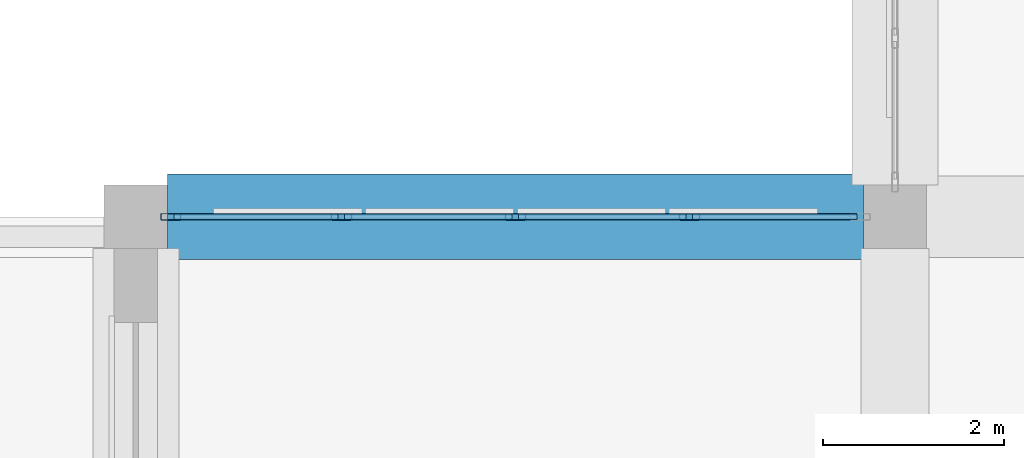
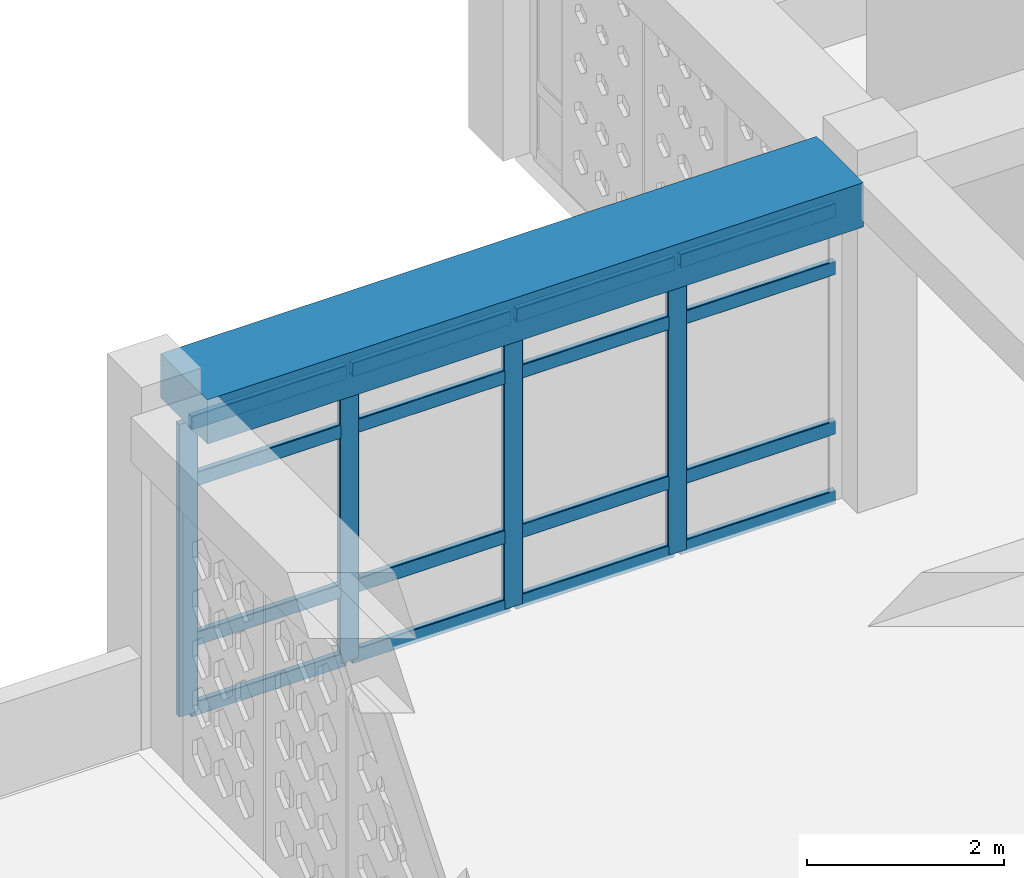
# One storey, part 24 of 100: 20 members, 1 beam, 1 element without a shape of its own.
"""IFC4 building model written with IfcOpenShell, lengths in metres."""

from ifc_helpers import new_model, si_unit, derived_unit, direction, frame, origin, origin_2d, place, context, subcontext, project, spatial, rectangle, hollow_rectangle, extrude, material, material_profile, profile_set, type_object, element, aggregate, save


model = new_model("IFC4")

# Units and contexts
model_context = context("Model", 3, precision=1e-05, world=origin(), true_north=direction((0.0, 1.0)))
body_context = subcontext(model_context, "Body", "Model", "MODEL_VIEW")
ifc_project = project(units=[si_unit("LENGTHUNIT", "METRE"), si_unit("AREAUNIT", "SQUARE_METRE"), si_unit("VOLUMEUNIT", "CUBIC_METRE"), si_unit("PLANEANGLEUNIT", "RADIAN"), si_unit("MASSUNIT", "GRAM", prefix="KILO"), derived_unit("THERMALTRANSMITTANCEUNIT", [(si_unit("POWERUNIT", "WATT"), 1), (si_unit("LENGTHUNIT", "METRE"), -2), (si_unit("THERMODYNAMICTEMPERATUREUNIT", "KELVIN"), -1)])], contexts=[model_context])

# Site, building, storey
site_placement = place(None, origin())
site = spatial("IfcSite", under=ifc_project, at=site_placement, CompositionType="ELEMENT")
building_placement = place(site_placement, origin())
building = spatial("IfcBuilding", under=site, at=building_placement, Name="Veybourne Emporium", CompositionType="ELEMENT")
storey_placement = place(building_placement, frame((0.0, 0.0, 14.39990234375)))
storey = spatial("IfcBuildingStorey", under=building, at=storey_placement, Name="L03", CompositionType="ELEMENT", Elevation=14.39990234375)

# Curtain wall, members
ifc_material_1 = material(Name="Patinated Architectural Bronze", Category="bronze")
curtain_wall_type = type_object("IfcCurtainWallType", Name="CWSystem_CWS-09", PredefinedType="NOTDEFINED", material=ifc_material_1)
curtain_wall_placement = place(storey_placement, origin())
curtain_wall = element("IfcCurtainWall", 1, at=curtain_wall_placement, inside=storey, type_object=curtain_wall_type, Name="L03 bronze glazed curtain wall CWS-09 (012)", PredefinedType="NOTDEFINED")
ifc_material_profile_1 = material_profile(ifc_material_1, hollow_rectangle(XDim=0.072021484375, YDim=0.22509765625, WallThickness=0.0048828125, InnerFilletRadius=0.007568359375, OuterFilletRadius=0.012451171875, at=origin_2d()), Name="CWM 72x225x5")
ifc_profile_set_1 = profile_set([ifc_material_profile_1], Name="Patinated Architectural Bronze")
member_type_1 = type_object("IfcMemberType", Name="CWMullion_CW-M1", PredefinedType="MULLION", material=ifc_profile_set_1)
member_1_placement = place(storey_placement, frame((8.785888671875, 79.199951171875, 0.0), z_axis=(0.0, 0.0, 1.0), x_axis=(0.0, 1.0, 0.0)))
member_1 = element("IfcMember", 2, at=member_1_placement, type_object=member_type_1, Name="CWS-09 mullion 1", PredefinedType="MULLION", context=body_context, shape_type="SweptSolid", body=[
    extrude(hollow_rectangle(XDim=0.072021484375, YDim=0.22509765625, WallThickness=0.0048828125, InnerFilletRadius=0.007568359375, OuterFilletRadius=0.012451171875, at=origin_2d()), origin(), (0.0, 0.0, 1.0), 3.630126953125),
])
member_2_placement = place(storey_placement, frame((10.675048828125, 79.199951171875, 0.0), z_axis=(0.0, 0.0, 1.0), x_axis=(0.0, 1.0, 0.0)))
member_2 = element("IfcMember", 3, at=member_2_placement, type_object=member_type_1, Name="CWS-09 mullion 2", PredefinedType="MULLION", context=body_context, shape_type="SweptSolid", body=[
    extrude(hollow_rectangle(XDim=0.072021484375, YDim=0.22509765625, WallThickness=0.0048828125, InnerFilletRadius=0.007568359375, OuterFilletRadius=0.012451171875, at=origin_2d()), origin(), (0.0, 0.0, 1.0), 3.630126953125),
])
member_3_placement = place(storey_placement, frame((12.60009765625, 79.199951171875, 0.0), z_axis=(0.0, 0.0, 1.0), x_axis=(0.0, 1.0, 0.0)))
member_3 = element("IfcMember", 4, at=member_3_placement, type_object=member_type_1, Name="CWS-09 mullion 3", PredefinedType="MULLION", context=body_context, shape_type="SweptSolid", body=[
    extrude(hollow_rectangle(XDim=0.072021484375, YDim=0.22509765625, WallThickness=0.0048828125, InnerFilletRadius=0.007568359375, OuterFilletRadius=0.012451171875, at=origin_2d()), origin(), (0.0, 0.0, 1.0), 3.630126953125),
])
member_4_placement = place(storey_placement, frame((14.52490234375, 79.199951171875, 0.0), z_axis=(0.0, 0.0, 1.0), x_axis=(0.0, 1.0, 0.0)))
member_4 = element("IfcMember", 5, at=member_4_placement, type_object=member_type_1, Name="CWS-09 mullion 4", PredefinedType="MULLION", context=body_context, shape_type="SweptSolid", body=[
    extrude(hollow_rectangle(XDim=0.072021484375, YDim=0.22509765625, WallThickness=0.0048828125, InnerFilletRadius=0.007568359375, OuterFilletRadius=0.012451171875, at=origin_2d()), origin(), (0.0, 0.0, 1.0), 3.630126953125),
])
ifc_material_profile_2 = material_profile(ifc_material_1, hollow_rectangle(XDim=0.072021484375, YDim=0.175048828125, WallThickness=0.0048828125, InnerFilletRadius=0.007568359375, OuterFilletRadius=0.012451171875, at=origin_2d()), Name="CWT 72x175x5")
ifc_profile_set_2 = profile_set([ifc_material_profile_2], Name="Patinated Architectural Bronze")
member_type_2 = type_object("IfcMemberType", Name="CWTransom_CW-T1", PredefinedType="NOTDEFINED", material=ifc_profile_set_2)
member_5_placement = place(storey_placement, frame((8.822021484375, 79.199951171875, 0.0361328125), z_axis=(1.0, 0.0, 0.0), x_axis=(0.0, 1.0, 0.0)))
member_5 = element("IfcMember", 6, at=member_5_placement, type_object=member_type_2, Name="CWS-09 transom 1.1", ObjectType="TRANSOM", PredefinedType="USERDEFINED", context=body_context, shape_type="SweptSolid", body=[
    extrude(hollow_rectangle(XDim=0.072021484375, YDim=0.175048828125, WallThickness=0.0048828125, InnerFilletRadius=0.007568359375, OuterFilletRadius=0.012451171875, at=origin_2d()), origin(), (0.0, 0.0, 1.0), 1.81689453125),
])
member_6_placement = place(storey_placement, frame((8.822021484375, 79.199951171875, 0.900146484375), z_axis=(1.0, 0.0, 0.0), x_axis=(0.0, 1.0, 0.0)))
member_6 = element("IfcMember", 7, at=member_6_placement, type_object=member_type_2, Name="CWS-09 transom 1.2", ObjectType="TRANSOM", PredefinedType="USERDEFINED", context=body_context, shape_type="SweptSolid", body=[
    extrude(hollow_rectangle(XDim=0.072021484375, YDim=0.175048828125, WallThickness=0.0048828125, InnerFilletRadius=0.007568359375, OuterFilletRadius=0.012451171875, at=origin_2d()), origin(), (0.0, 0.0, 1.0), 1.81689453125),
])
member_7_placement = place(storey_placement, frame((8.822021484375, 79.199951171875, 2.880126953125), z_axis=(1.0, 0.0, 0.0), x_axis=(0.0, 1.0, 0.0)))
member_7 = element("IfcMember", 8, at=member_7_placement, type_object=member_type_2, Name="CWS-09 transom 1.3", ObjectType="TRANSOM", PredefinedType="USERDEFINED", context=body_context, shape_type="SweptSolid", body=[
    extrude(hollow_rectangle(XDim=0.072021484375, YDim=0.175048828125, WallThickness=0.0048828125, InnerFilletRadius=0.007568359375, OuterFilletRadius=0.012451171875, at=origin_2d()), origin(), (0.0, 0.0, 1.0), 1.81689453125),
])
member_8_placement = place(storey_placement, frame((8.822021484375, 79.199951171875, 3.593994140625), z_axis=(1.0, 0.0, 0.0), x_axis=(0.0, 1.0, 0.0)))
member_8 = element("IfcMember", 9, at=member_8_placement, type_object=member_type_2, Name="CWS-09 transom 1.4", ObjectType="TRANSOM", PredefinedType="USERDEFINED", context=body_context, shape_type="SweptSolid", body=[
    extrude(hollow_rectangle(XDim=0.072021484375, YDim=0.175048828125, WallThickness=0.0048828125, InnerFilletRadius=0.007568359375, OuterFilletRadius=0.012451171875, at=origin_2d()), origin(), (0.0, 0.0, 1.0), 1.81689453125),
])
member_9_placement = place(storey_placement, frame((10.7109375, 79.199951171875, 0.0361328125), z_axis=(1.0, 0.0, 0.0), x_axis=(0.0, 1.0, 0.0)))
member_9 = element("IfcMember", 10, at=member_9_placement, type_object=member_type_2, Name="CWS-09 transom 2.1", ObjectType="TRANSOM", PredefinedType="USERDEFINED", context=body_context, shape_type="SweptSolid", body=[
    extrude(hollow_rectangle(XDim=0.072021484375, YDim=0.175048828125, WallThickness=0.0048828125, InnerFilletRadius=0.007568359375, OuterFilletRadius=0.012451171875, at=origin_2d()), origin(), (0.0, 0.0, 1.0), 1.85302734375),
])
member_10_placement = place(storey_placement, frame((10.7109375, 79.199951171875, 0.900146484375), z_axis=(1.0, 0.0, 0.0), x_axis=(0.0, 1.0, 0.0)))
member_10 = element("IfcMember", 11, at=member_10_placement, type_object=member_type_2, Name="CWS-09 transom 2.2", ObjectType="TRANSOM", PredefinedType="USERDEFINED", context=body_context, shape_type="SweptSolid", body=[
    extrude(hollow_rectangle(XDim=0.072021484375, YDim=0.175048828125, WallThickness=0.0048828125, InnerFilletRadius=0.007568359375, OuterFilletRadius=0.012451171875, at=origin_2d()), origin(), (0.0, 0.0, 1.0), 1.85302734375),
])
member_11_placement = place(storey_placement, frame((10.7109375, 79.199951171875, 2.880126953125), z_axis=(1.0, 0.0, 0.0), x_axis=(0.0, 1.0, 0.0)))
member_11 = element("IfcMember", 12, at=member_11_placement, type_object=member_type_2, Name="CWS-09 transom 2.3", ObjectType="TRANSOM", PredefinedType="USERDEFINED", context=body_context, shape_type="SweptSolid", body=[
    extrude(hollow_rectangle(XDim=0.072021484375, YDim=0.175048828125, WallThickness=0.0048828125, InnerFilletRadius=0.007568359375, OuterFilletRadius=0.012451171875, at=origin_2d()), origin(), (0.0, 0.0, 1.0), 1.85302734375),
])
member_12_placement = place(storey_placement, frame((10.7109375, 79.199951171875, 3.593994140625), z_axis=(1.0, 0.0, 0.0), x_axis=(0.0, 1.0, 0.0)))
member_12 = element("IfcMember", 13, at=member_12_placement, type_object=member_type_2, Name="CWS-09 transom 2.4", ObjectType="TRANSOM", PredefinedType="USERDEFINED", context=body_context, shape_type="SweptSolid", body=[
    extrude(hollow_rectangle(XDim=0.072021484375, YDim=0.175048828125, WallThickness=0.0048828125, InnerFilletRadius=0.007568359375, OuterFilletRadius=0.012451171875, at=origin_2d()), origin(), (0.0, 0.0, 1.0), 1.85302734375),
])
member_13_placement = place(storey_placement, frame((12.635986328125, 79.199951171875, 0.0361328125), z_axis=(1.0, 0.0, 0.0), x_axis=(0.0, 1.0, 0.0)))
member_13 = element("IfcMember", 14, at=member_13_placement, type_object=member_type_2, Name="CWS-09 transom 3.1", ObjectType="TRANSOM", PredefinedType="USERDEFINED", context=body_context, shape_type="SweptSolid", body=[
    extrude(hollow_rectangle(XDim=0.072021484375, YDim=0.175048828125, WallThickness=0.0048828125, InnerFilletRadius=0.007568359375, OuterFilletRadius=0.012451171875, at=origin_2d()), origin(), (0.0, 0.0, 1.0), 1.85302734375),
])
member_14_placement = place(storey_placement, frame((12.635986328125, 79.199951171875, 0.900146484375), z_axis=(1.0, 0.0, 0.0), x_axis=(0.0, 1.0, 0.0)))
member_14 = element("IfcMember", 15, at=member_14_placement, type_object=member_type_2, Name="CWS-09 transom 3.2", ObjectType="TRANSOM", PredefinedType="USERDEFINED", context=body_context, shape_type="SweptSolid", body=[
    extrude(hollow_rectangle(XDim=0.072021484375, YDim=0.175048828125, WallThickness=0.0048828125, InnerFilletRadius=0.007568359375, OuterFilletRadius=0.012451171875, at=origin_2d()), origin(), (0.0, 0.0, 1.0), 1.85302734375),
])
member_15_placement = place(storey_placement, frame((12.635986328125, 79.199951171875, 2.880126953125), z_axis=(1.0, 0.0, 0.0), x_axis=(0.0, 1.0, 0.0)))
member_15 = element("IfcMember", 16, at=member_15_placement, type_object=member_type_2, Name="CWS-09 transom 3.3", ObjectType="TRANSOM", PredefinedType="USERDEFINED", context=body_context, shape_type="SweptSolid", body=[
    extrude(hollow_rectangle(XDim=0.072021484375, YDim=0.175048828125, WallThickness=0.0048828125, InnerFilletRadius=0.007568359375, OuterFilletRadius=0.012451171875, at=origin_2d()), origin(), (0.0, 0.0, 1.0), 1.85302734375),
])
member_16_placement = place(storey_placement, frame((12.635986328125, 79.199951171875, 3.593994140625), z_axis=(1.0, 0.0, 0.0), x_axis=(0.0, 1.0, 0.0)))
member_16 = element("IfcMember", 17, at=member_16_placement, type_object=member_type_2, Name="CWS-09 transom 3.4", ObjectType="TRANSOM", PredefinedType="USERDEFINED", context=body_context, shape_type="SweptSolid", body=[
    extrude(hollow_rectangle(XDim=0.072021484375, YDim=0.175048828125, WallThickness=0.0048828125, InnerFilletRadius=0.007568359375, OuterFilletRadius=0.012451171875, at=origin_2d()), origin(), (0.0, 0.0, 1.0), 1.85302734375),
])
member_17_placement = place(storey_placement, frame((14.56103515625, 79.199951171875, 0.0361328125), z_axis=(1.0, 0.0, 0.0), x_axis=(0.0, 1.0, 0.0)))
member_17 = element("IfcMember", 18, at=member_17_placement, type_object=member_type_2, Name="CWS-09 transom 4.1", ObjectType="TRANSOM", PredefinedType="USERDEFINED", context=body_context, shape_type="SweptSolid", body=[
    extrude(hollow_rectangle(XDim=0.072021484375, YDim=0.175048828125, WallThickness=0.0048828125, InnerFilletRadius=0.007568359375, OuterFilletRadius=0.012451171875, at=origin_2d()), origin(), (0.0, 0.0, 1.0), 1.81689453125),
])
member_18_placement = place(storey_placement, frame((14.56103515625, 79.199951171875, 0.900146484375), z_axis=(1.0, 0.0, 0.0), x_axis=(0.0, 1.0, 0.0)))
member_18 = element("IfcMember", 19, at=member_18_placement, type_object=member_type_2, Name="CWS-09 transom 4.2", ObjectType="TRANSOM", PredefinedType="USERDEFINED", context=body_context, shape_type="SweptSolid", body=[
    extrude(hollow_rectangle(XDim=0.072021484375, YDim=0.175048828125, WallThickness=0.0048828125, InnerFilletRadius=0.007568359375, OuterFilletRadius=0.012451171875, at=origin_2d()), origin(), (0.0, 0.0, 1.0), 1.81689453125),
])
member_19_placement = place(storey_placement, frame((14.56103515625, 79.199951171875, 2.880126953125), z_axis=(1.0, 0.0, 0.0), x_axis=(0.0, 1.0, 0.0)))
member_19 = element("IfcMember", 20, at=member_19_placement, type_object=member_type_2, Name="CWS-09 transom 4.3", ObjectType="TRANSOM", PredefinedType="USERDEFINED", context=body_context, shape_type="SweptSolid", body=[
    extrude(hollow_rectangle(XDim=0.072021484375, YDim=0.175048828125, WallThickness=0.0048828125, InnerFilletRadius=0.007568359375, OuterFilletRadius=0.012451171875, at=origin_2d()), origin(), (0.0, 0.0, 1.0), 1.81689453125),
])
member_20_placement = place(storey_placement, frame((14.56103515625, 79.199951171875, 3.593994140625), z_axis=(1.0, 0.0, 0.0), x_axis=(0.0, 1.0, 0.0)))
member_20 = element("IfcMember", 21, at=member_20_placement, type_object=member_type_2, Name="CWS-09 transom 4.4", ObjectType="TRANSOM", PredefinedType="USERDEFINED", context=body_context, shape_type="SweptSolid", body=[
    extrude(hollow_rectangle(XDim=0.072021484375, YDim=0.175048828125, WallThickness=0.0048828125, InnerFilletRadius=0.007568359375, OuterFilletRadius=0.012451171875, at=origin_2d()), origin(), (0.0, 0.0, 1.0), 1.81689453125),
])
aggregate(curtain_wall, [member_1, member_2, member_3, member_4, member_5, member_6, member_7, member_8, member_9, member_10, member_11, member_12, member_13, member_14, member_15, member_16, member_17, member_18, member_19, member_20])

# Beam
ifc_material_2 = material(Name="Concrete C32/40", Category="concrete")
ifc_material_profile_3 = material_profile(ifc_material_2, rectangle(XDim=0.949951171875, YDim=0.550048828125, at=origin_2d()), Name="RC 950x550")
ifc_profile_set_3 = profile_set([ifc_material_profile_3], Name="Concrete C32/40")
beam_type = type_object("IfcBeamType", Name="RCBeam_EB-01", PredefinedType="SPANDREL", material=ifc_profile_set_3)
beam_placement = place(storey_placement, frame((8.75, 79.199951171875, 3.905029296875), z_axis=(1.0, 0.0, 0.0), x_axis=(0.0, 1.0, 0.0)))
element("IfcBeam", 22, at=beam_placement, inside=storey, type_object=beam_type, Name="L03 X-grid beam EB-01 (1,11)", PredefinedType="SPANDREL", context=body_context, shape_type="SweptSolid", body=[
    extrude(rectangle(XDim=0.949951171875, YDim=0.550048828125, at=origin_2d()), origin(), (0.0, 0.0, 1.0), 7.699951171875),
])

save(model, "model.ifc")
